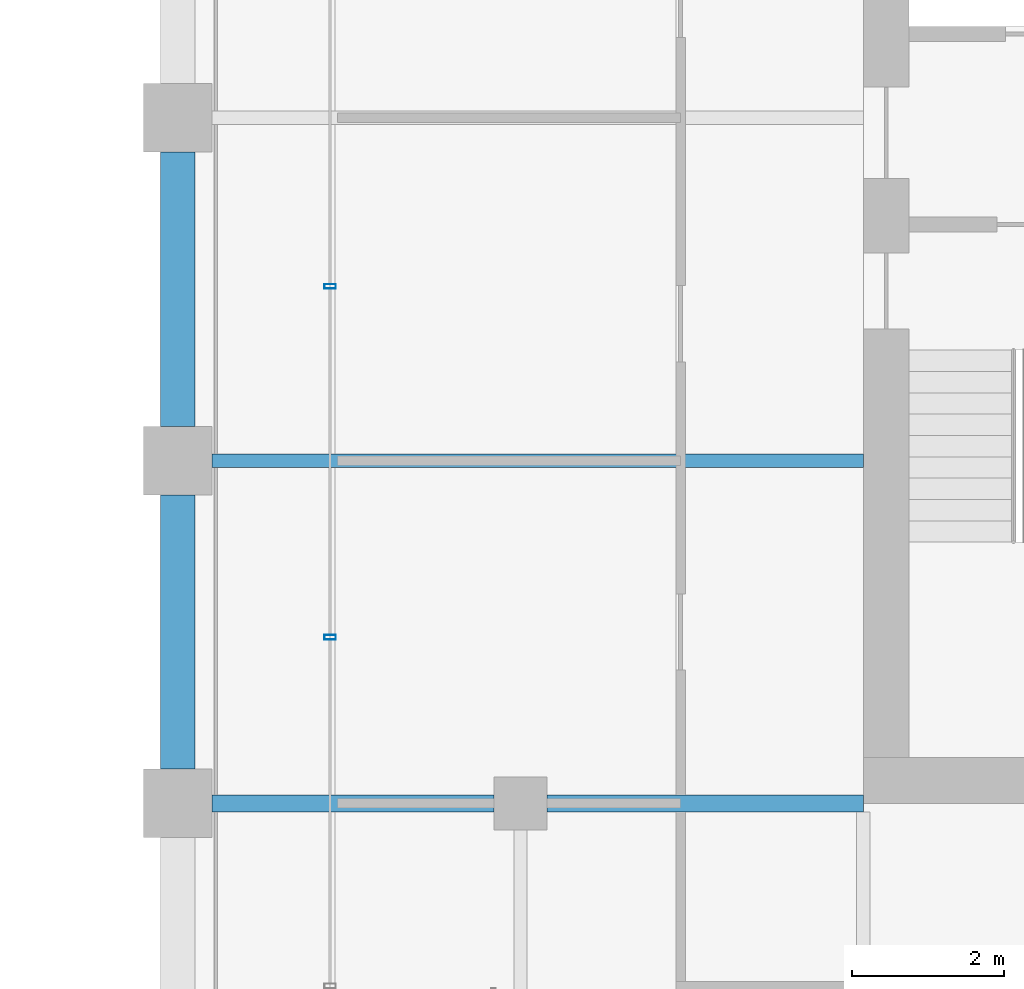
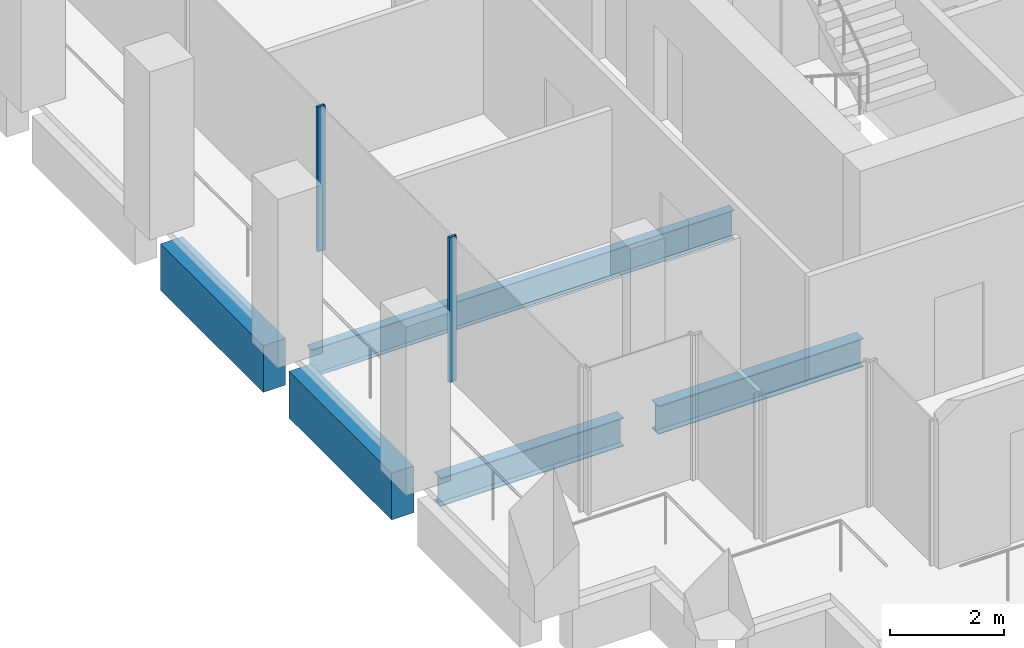
# One storey, part 30 of 40: 5 beams, 2 members, 1 element without a shape of its own.
"""IFC4 building model written with IfcOpenShell, lengths in metres."""

from ifc_helpers import new_model, si_unit, direction, frame, origin, origin_2d, place, context, subcontext, project, spatial, rectangle, hollow_rectangle, i_section, extrude, material, material_profile, profile_set, type_object, element, aggregate, save


model = new_model("IFC4")

# Units and contexts
model_context = context("Model", 3, precision=1e-05, world=origin(), true_north=direction((0.0, 1.0)))
body_context = subcontext(model_context, "Body", "Model", "MODEL_VIEW")
ifc_project = project(units=[si_unit("LENGTHUNIT", "METRE"), si_unit("AREAUNIT", "SQUARE_METRE"), si_unit("VOLUMEUNIT", "CUBIC_METRE"), si_unit("PLANEANGLEUNIT", "RADIAN"), si_unit("MASSUNIT", "GRAM", prefix="KILO")], contexts=[model_context])

# Site, building, storey
site_placement = place(None, origin())
site = spatial("IfcSite", under=ifc_project, at=site_placement, CompositionType="ELEMENT")
building_placement = place(site_placement, origin())
building = spatial("IfcBuilding", under=site, at=building_placement, Name="Altepetl Exchange Towers", CompositionType="ELEMENT")
storey_placement = place(building_placement, frame((0.0, 0.0, 179.800048828125)))
storey = spatial("IfcBuildingStorey", under=building, at=storey_placement, Name="L45", CompositionType="ELEMENT", Elevation=179.800048828125)

# Beams
ifc_material_1 = material(Name="Steel S355", Category="steel")
ifc_material_profile_1 = material_profile(ifc_material_1, i_section(OverallWidth=0.177978515625, OverallDepth=0.59912109375, WebThickness=0.010009765625, FlangeThickness=0.0126953125, at=origin_2d()), Name="W24X55")
ifc_profile_set_1 = profile_set([ifc_material_profile_1], Name="Steel S355")
beam_type_1 = type_object("IfcBeamType", Name="Floor beam W24X55", PredefinedType="BEAM", material=ifc_profile_set_1)
beam_1_placement = place(storey_placement, frame((94.949951171875, 40.5, -0.449462890625), z_axis=(1.0, 0.0, 0.0), x_axis=(0.0, 1.0, 0.0)))
element("IfcBeam", 1, at=beam_1_placement, inside=storey, type_object=beam_type_1, Name="bm:B:L45:004", PredefinedType="BEAM", context=body_context, shape_type="SweptSolid", body=[
    extrude(i_section(OverallWidth=0.177978515625, OverallDepth=0.59912109375, WebThickness=0.010009765625, FlangeThickness=0.0126953125, at=origin_2d()), origin(), (0.0, 0.0, 1.0), 8.550048828125),
])
ifc_material_profile_2 = material_profile(ifc_material_1, i_section(OverallWidth=0.22802734375, OverallDepth=0.60791015625, WebThickness=0.01123046875, FlangeThickness=0.017333984375, at=origin_2d()), Name="W24X76")
ifc_profile_set_2 = profile_set([ifc_material_profile_2], Name="Steel S355")
beam_type_2 = type_object("IfcBeamType", Name="Girder W24X76", PredefinedType="BEAM", material=ifc_profile_set_2)
beam_2_placement = place(storey_placement, frame((103.5, 36.0, -0.4541015625), z_axis=(-1.0, 0.0, 0.0), x_axis=(0.0, -1.0, 0.0)))
element("IfcBeam", 2, at=beam_2_placement, inside=storey, type_object=beam_type_2, Name="gd:B:L45:000", PredefinedType="BEAM", context=body_context, shape_type="SweptSolid", body=[
    extrude(i_section(OverallWidth=0.22802734375, OverallDepth=0.60791015625, WebThickness=0.01123046875, FlangeThickness=0.017333984375, at=origin_2d()), origin(), (0.0, 0.0, 1.0), 4.14990234375),
])
beam_3_placement = place(storey_placement, frame((98.64990234375, 36.0, -0.4541015625), z_axis=(-1.0, 0.0, 0.0), x_axis=(0.0, -1.0, 0.0)))
element("IfcBeam", 3, at=beam_3_placement, inside=storey, type_object=beam_type_2, Name="gd:B:L45:001", PredefinedType="BEAM", context=body_context, shape_type="SweptSolid", body=[
    extrude(i_section(OverallWidth=0.22802734375, OverallDepth=0.60791015625, WebThickness=0.01123046875, FlangeThickness=0.017333984375, at=origin_2d()), origin(), (0.0, 0.0, 1.0), 3.699951171875),
])

# Curtain wall, members
ifc_material_2 = material(Name="Aluminium 6063-T6 glazing", Category="aluminium")
curtain_wall_type = type_object("IfcCurtainWallType", Name="Loggia glazing system", PredefinedType="NOTDEFINED", material=ifc_material_2)
curtain_wall_placement = place(storey_placement, origin())
curtain_wall = element("IfcCurtainWall", 4, at=curtain_wall_placement, inside=storey, type_object=curtain_wall_type, Name="CW1 run", PredefinedType="NOTDEFINED")
ifc_material_3 = material(Name="Aluminium 6063-T6", Category="aluminium")
ifc_material_profile_3 = material_profile(ifc_material_3, hollow_rectangle(XDim=0.06005859375, YDim=0.14990234375, WallThickness=0.0029296875, at=origin_2d()), Name="Mullion 60x150 aluminium")
ifc_profile_set_3 = profile_set([ifc_material_profile_3], Name="Aluminium 6063-T6")
member_type = type_object("IfcMemberType", Name="Mullion 60x150 aluminium", PredefinedType="MULLION", material=ifc_profile_set_3)
member_1_placement = place(storey_placement, frame((96.5, 42.78759765625, 0.0), z_axis=(0.0, 0.0, 1.0), x_axis=(0.0, -1.0, 0.0)))
member_1 = element("IfcMember", 5, at=member_1_placement, type_object=member_type, Name="MU1 mullion", PredefinedType="MULLION", context=body_context, shape_type="SweptSolid", body=[
    extrude(hollow_rectangle(XDim=0.06005859375, YDim=0.14990234375, WallThickness=0.0029296875, at=origin_2d()), origin(), (0.0, 0.0, 1.0), 3.099853515625),
])
member_2_placement = place(storey_placement, frame((96.5, 38.18115234375, 0.0), z_axis=(0.0, 0.0, 1.0), x_axis=(0.0, -1.0, 0.0)))
member_2 = element("IfcMember", 6, at=member_2_placement, type_object=member_type, Name="MU1 mullion", PredefinedType="MULLION", context=body_context, shape_type="SweptSolid", body=[
    extrude(hollow_rectangle(XDim=0.06005859375, YDim=0.14990234375, WallThickness=0.0029296875, at=origin_2d()), origin(), (0.0, 0.0, 1.0), 3.099853515625),
])
aggregate(curtain_wall, [member_1, member_2])

# Beams
ifc_material_4 = material(Name="Concrete C50/60 precast with cantera rosa facing", Category="concrete")
ifc_material_profile_4 = material_profile(ifc_material_4, rectangle(XDim=0.449951171875, YDim=1.0, at=origin_2d()), Name="450 x 1000")
ifc_profile_set_4 = profile_set([ifc_material_profile_4], Name="Concrete C50/60 precast with cantera rosa facing")
beam_type_3 = type_object("IfcBeamType", Name="Spandrel beam 450x1000 cantera rosa", PredefinedType="SPANDREL", material=ifc_profile_set_4)
for number, where, z_axis, x_axis, name in (
    (7, (94.5, 44.550048828125, -0.650146484375), (0.0, -1.0, 0.0), (1.0, 0.0, 0.0), "sp:B:L45:017"),
    (8, (94.5, 40.050048828125, -0.650146484375), (0.0, -1.0, 0.0), (1.0, 0.0, 0.0), "sp:B:L45:018"),
):
    element("IfcBeam", number, at=place(storey_placement, frame(where, z_axis=z_axis, x_axis=x_axis)), inside=storey, type_object=beam_type_3, Name=name, PredefinedType="SPANDREL", context=body_context, shape_type="SweptSolid", body=[
        extrude(rectangle(XDim=0.449951171875, YDim=1.0, at=origin_2d()), origin(), (0.0, 0.0, 1.0), 3.60009765625),
    ])

save(model, "model.ifc")
